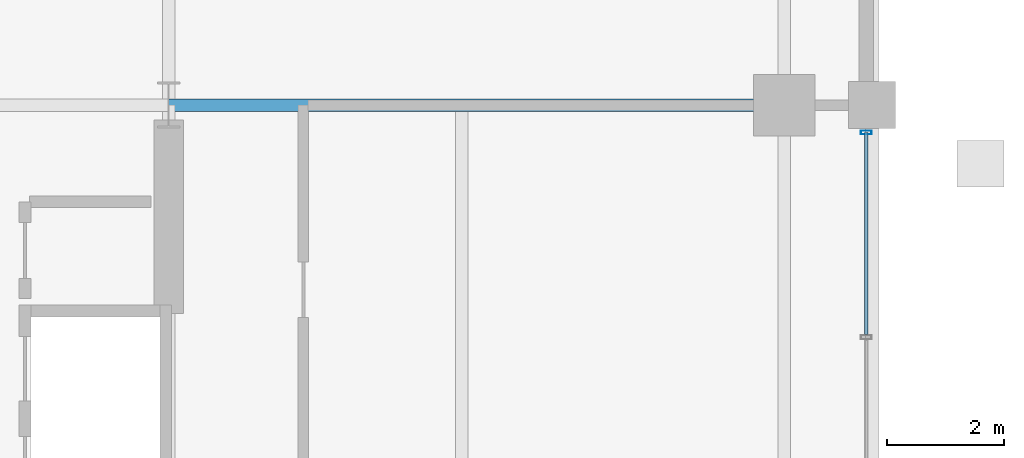
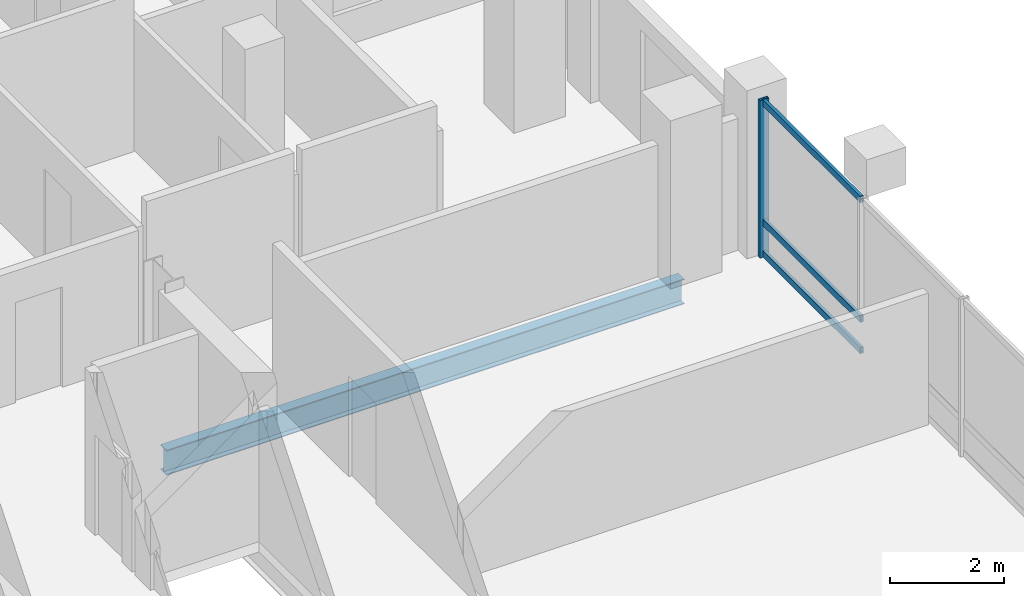
# One storey, part 11 of 24: 4 members, 1 beam, 1 element without a shape of its own.
"""IFC4 building model written with IfcOpenShell, lengths in metres."""

from ifc_helpers import new_model, si_unit, direction, frame, origin, origin_2d, place, context, subcontext, project, spatial, hollow_rectangle, i_section, extrude, material, layer, layer_set, material_profile, profile_set, type_object, element, aggregate, save


model = new_model("IFC4")

# Units and contexts
model_context = context("Model", 3, precision=1e-05, world=origin(), true_north=direction((0.0, 1.0)))
body_context = subcontext(model_context, "Body", "Model", "MODEL_VIEW")
ifc_project = project(units=[si_unit("LENGTHUNIT", "METRE"), si_unit("AREAUNIT", "SQUARE_METRE"), si_unit("VOLUMEUNIT", "CUBIC_METRE"), si_unit("PLANEANGLEUNIT", "RADIAN"), si_unit("MASSUNIT", "GRAM", prefix="KILO")], contexts=[model_context])

# Site, building, storey
site_placement = place(None, origin())
site = spatial("IfcSite", under=ifc_project, at=site_placement, CompositionType="ELEMENT")
building_placement = place(site_placement, origin())
building = spatial("IfcBuilding", under=site, at=building_placement, Name="Barlavira Tower and Art Museum", CompositionType="ELEMENT")
storey_placement = place(building_placement, frame((0.0, 0.0, 201.60009765625)))
storey = spatial("IfcBuildingStorey", under=building, at=storey_placement, Name="L52", CompositionType="ELEMENT", Elevation=201.60009765625)

# Curtain wall, members
ifc_material_1 = material(Name="Low-iron coastal laminated glass", Category="glass")
ifc_layer = layer(ifc_material_1, 0.199951171875, Name="Low-iron coastal laminated glass")
ifc_layer_set = layer_set([ifc_layer], Name="Low-iron coastal laminated glass")
curtain_wall_type = type_object("IfcCurtainWallType", Name="Pale-Metal Unitised Curtain Wall Zone 3", PredefinedType="NOTDEFINED", material=ifc_layer_set)
curtain_wall_placement = place(storey_placement, origin())
curtain_wall = element("IfcCurtainWall", 1, at=curtain_wall_placement, inside=storey, type_object=curtain_wall_type, Name="L52 Curtain Wall CW3-L52-E-B3", PredefinedType="NOTDEFINED")
ifc_material_2 = material(Name="Pale anodised aluminium", Category="aluminium")
ifc_material_profile_1 = material_profile(ifc_material_2, hollow_rectangle(XDim=0.06494140625, YDim=0.179931640625, WallThickness=0.00390625, at=origin_2d()), Name="ALU-MULL 65x180x4")
ifc_profile_set_1 = profile_set([ifc_material_profile_1], Name="Pale anodised aluminium")
member_type_1 = type_object("IfcMemberType", Name="Curtain Wall Pale-Metal Mullion 65x180", PredefinedType="MULLION", material=ifc_profile_set_1)
member_1_placement = place(storey_placement, frame((18.39990234375, 7.034912109375, 0.0), z_axis=(0.0, 0.0, 1.0), x_axis=(0.0, 1.0, 0.0)))
member_1 = element("IfcMember", 2, at=member_1_placement, type_object=member_type_1, Name="CW3-L52-E-B3 Mullion 4", PredefinedType="MULLION", context=body_context, shape_type="SweptSolid", body=[
    extrude(hollow_rectangle(XDim=0.06494140625, YDim=0.179931640625, WallThickness=0.00390625, at=origin_2d()), origin(), (0.0, 0.0, 1.0), 3.3798828125),
])
ifc_material_profile_2 = material_profile(ifc_material_2, hollow_rectangle(XDim=0.06494140625, YDim=0.139892578125, WallThickness=0.00390625, at=origin_2d()), Name="ALU-TRAN 65x140x4")
ifc_profile_set_2 = profile_set([ifc_material_profile_2], Name="Pale anodised aluminium")
member_type_2 = type_object("IfcMemberType", Name="Curtain Wall Pale-Metal Transom 65x140", PredefinedType="USERDEFINED", material=ifc_profile_set_2)
member_2_placement = place(storey_placement, frame((18.39990234375, 3.5849609375, 0.06982421875), z_axis=(0.0, 1.0, 0.0), x_axis=(-1.0, 0.0, 0.0)))
member_2 = element("IfcMember", 3, at=member_2_placement, type_object=member_type_2, Name="CW3-L52-E-B3 Transom 3.1", ObjectType="TRANSOM", PredefinedType="USERDEFINED", context=body_context, shape_type="SweptSolid", body=[
    extrude(hollow_rectangle(XDim=0.06494140625, YDim=0.139892578125, WallThickness=0.00390625, at=origin_2d()), origin(), (0.0, 0.0, 1.0), 3.449951171875),
])
member_3_placement = place(storey_placement, frame((18.39990234375, 3.5849609375, 0.743896484375), z_axis=(0.0, 1.0, 0.0), x_axis=(-1.0, 0.0, 0.0)))
member_3 = element("IfcMember", 4, at=member_3_placement, type_object=member_type_2, Name="CW3-L52-E-B3 Transom 3.2", ObjectType="TRANSOM", PredefinedType="USERDEFINED", context=body_context, shape_type="SweptSolid", body=[
    extrude(hollow_rectangle(XDim=0.06494140625, YDim=0.139892578125, WallThickness=0.00390625, at=origin_2d()), origin(), (0.0, 0.0, 1.0), 3.449951171875),
])
member_4_placement = place(storey_placement, frame((18.39990234375, 3.5849609375, 3.309814453125), z_axis=(0.0, 1.0, 0.0), x_axis=(-1.0, 0.0, 0.0)))
member_4 = element("IfcMember", 5, at=member_4_placement, type_object=member_type_2, Name="CW3-L52-E-B3 Transom 3.3", ObjectType="TRANSOM", PredefinedType="USERDEFINED", context=body_context, shape_type="SweptSolid", body=[
    extrude(hollow_rectangle(XDim=0.06494140625, YDim=0.139892578125, WallThickness=0.00390625, at=origin_2d()), origin(), (0.0, 0.0, 1.0), 3.449951171875),
])
aggregate(curtain_wall, [member_1, member_2, member_3, member_4])

# Beam
ifc_material_3 = material(Name="Steel S355", Category="steel")
ifc_material_profile_3 = material_profile(ifc_material_3, i_section(OverallWidth=0.2109375, OverallDepth=0.5390625, WebThickness=0.01171875, FlangeThickness=0.018798828125, at=origin_2d()), Name="W530x109.0")
ifc_profile_set_3 = profile_set([ifc_material_profile_3], Name="Steel S355")
beam_type = type_object("IfcBeamType", Name="Zone 3-4 Primary Floor Girder W530x109 Steel S355", PredefinedType="BEAM", material=ifc_profile_set_3)
beam_placement = place(storey_placement, frame((6.5, 7.5, -0.489501953125), z_axis=(1.0, 0.0, 0.0), x_axis=(0.0, 1.0, 0.0)))
element("IfcBeam", 6, at=beam_placement, inside=storey, type_object=beam_type, Name="L52 Girder R-E2", PredefinedType="BEAM", context=body_context, shape_type="SweptSolid", body=[
    extrude(i_section(OverallWidth=0.2109375, OverallDepth=0.5390625, WebThickness=0.01171875, FlangeThickness=0.018798828125, at=origin_2d()), origin(), (0.0, 0.0, 1.0), 10.5),
])

save(model, "model.ifc")
